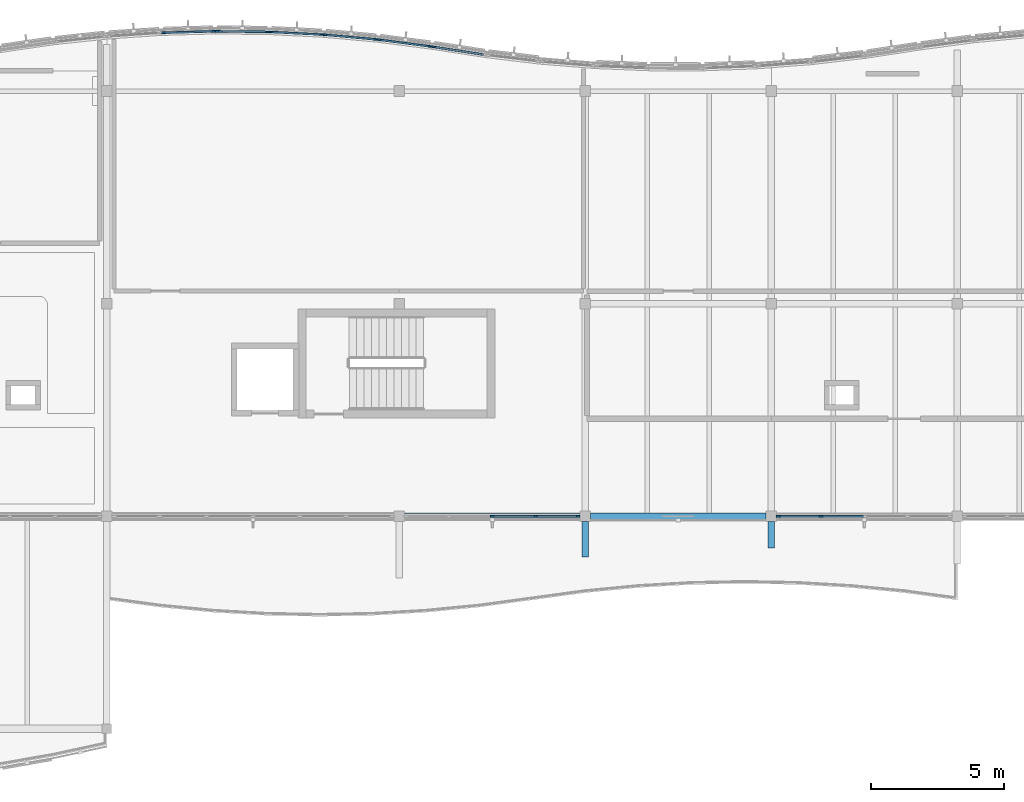
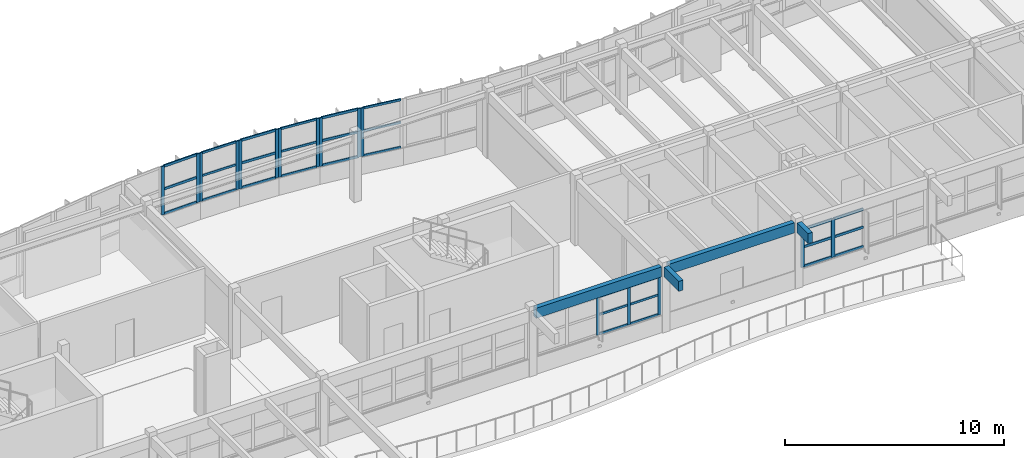
# One storey, part 23 of 63: 46 members, 4 beams, 8 elements without a shape of their own.
"""IFC4 building model written with IfcOpenShell, lengths in metres."""

from ifc_helpers import new_model, si_unit, direction, frame, origin, origin_2d, place, context, subcontext, project, spatial, rectangle, extrude, material, layer, layer_set, material_profile, profile_set, type_object, element, aggregate, save


model = new_model("IFC4")

# Units and contexts
model_context = context("Model", 3, precision=1e-05, world=origin(), true_north=direction((0.0, 1.0)))
body_context = subcontext(model_context, "Body", "Model", "MODEL_VIEW")
ifc_project = project(units=[si_unit("LENGTHUNIT", "METRE"), si_unit("AREAUNIT", "SQUARE_METRE"), si_unit("VOLUMEUNIT", "CUBIC_METRE"), si_unit("PLANEANGLEUNIT", "RADIAN"), si_unit("MASSUNIT", "GRAM", prefix="KILO")], contexts=[model_context])

# Site, building, storey
site_placement = place(None, origin())
site = spatial("IfcSite", under=ifc_project, at=site_placement, CompositionType="ELEMENT")
building_placement = place(site_placement, origin())
building = spatial("IfcBuilding", under=site, at=building_placement, Name="Tonlespit Floodbar School", CompositionType="ELEMENT")
storey_placement = place(building_placement, frame((0.0, 0.0, 8.39990234375)))
storey = spatial("IfcBuildingStorey", under=building, at=storey_placement, Name="L02", CompositionType="ELEMENT", Elevation=8.39990234375)

# Beams
ifc_material_1 = material(Name="Glulam GL28h", Category="wood")
ifc_material_profile_1 = material_profile(ifc_material_1, rectangle(XDim=0.239990234375, YDim=0.56005859375, at=origin_2d()), Name="GL 240x560")
ifc_profile_set_1 = profile_set([ifc_material_profile_1], Name="Glulam GL28h")
beam_type = type_object("IfcBeamType", Name="Beam_GL_240x560", PredefinedType="BEAM", material=ifc_profile_set_1)
for number, where, z_axis, x_axis, name in (
    (1, (127.199951171875, 104.0, 3.364990234375), (1.0, 0.0, 0.0), (0.0, 1.0, 0.0), "L02 girder 0968"),
    (2, (134.199951171875, 104.0, 3.364990234375), (1.0, 0.0, 0.0), (0.0, 1.0, 0.0), "L02 girder 0969"),
):
    element("IfcBeam", number, at=place(storey_placement, frame(where, z_axis=z_axis, x_axis=x_axis)), inside=storey, type_object=beam_type, Name=name, PredefinedType="BEAM", context=body_context, shape_type="SweptSolid", body=[
        extrude(rectangle(XDim=0.239990234375, YDim=0.56005859375, at=origin_2d()), origin(), (0.0, 0.0, 1.0), 6.60009765625),
    ])
beam_1_placement = place(storey_placement, frame((134.0, 103.800048828125, 3.3759765625), z_axis=(0.0, -1.0, 0.0), x_axis=(1.0, 0.0, 0.0)))
element("IfcBeam", 3, at=beam_1_placement, inside=storey, type_object=beam_type, Name="L02 V4 south court gallery rib", PredefinedType="BEAM", context=body_context, shape_type="SweptSolid", body=[
    extrude(rectangle(XDim=0.239990234375, YDim=0.56005859375, at=origin_2d()), origin(), (0.0, 0.0, 1.0), 1.328369140625),
])
beam_2_placement = place(storey_placement, frame((141.0, 103.800048828125, 3.3759765625), z_axis=(0.0, -1.0, 0.0), x_axis=(1.0, 0.0, 0.0)))
element("IfcBeam", 4, at=beam_2_placement, inside=storey, type_object=beam_type, Name="L02 V4 south court gallery rib", PredefinedType="BEAM", context=body_context, shape_type="SweptSolid", body=[
    extrude(rectangle(XDim=0.239990234375, YDim=0.56005859375, at=origin_2d()), origin(), (0.0, 0.0, 1.0), 0.990478515625),
])

# Curtain wall, members
ifc_material_2 = material(Name="Anodised Aluminium", Category="aluminium")
ifc_layer_1 = layer(ifc_material_2, 0.159912109375)
ifc_layer_set_1 = layer_set([ifc_layer_1], Name="Anodised Aluminium")
curtain_wall_type_1 = type_object("IfcCurtainWallType", Name="CurtainWall_1950x2700", PredefinedType="NOTDEFINED", material=ifc_layer_set_1)
curtain_wall_1_placement = place(storey_placement, origin())
curtain_wall_1 = element("IfcCurtainWall", 5, at=curtain_wall_1_placement, inside=storey, type_object=curtain_wall_type_1, Name="L02 unitised curtain wall 0416", PredefinedType="NOTDEFINED")
ifc_material_profile_2 = material_profile(ifc_material_2, rectangle(XDim=0.06494140625, YDim=0.14990234375, at=origin_2d()), Name="ALU M65x150")
ifc_profile_set_2 = profile_set([ifc_material_profile_2], Name="Anodised Aluminium")
member_type_1 = type_object("IfcMemberType", Name="CW_Mullion_65x150", PredefinedType="MULLION", material=ifc_profile_set_2)
member_1_placement = place(storey_placement, frame((120.1494140625, 122.246826171875, 0.9501953125), z_axis=(0.0, 0.0, 1.0), x_axis=(0.011436576488, 0.999934600221, 0.0)))
member_1 = element("IfcMember", 6, at=member_1_placement, type_object=member_type_1, Name="CW-04 mullion 1", PredefinedType="MULLION", context=body_context, shape_type="SweptSolid", body=[
    extrude(rectangle(XDim=0.06494140625, YDim=0.14990234375, at=origin_2d()), origin(), (0.0, 0.0, 1.0), 2.699951171875),
])
member_2_placement = place(storey_placement, frame((122.04296875, 122.22509765625, 0.9501953125), z_axis=(0.0, 0.0, 1.0), x_axis=(0.011436576488, 0.999934600221, 0.0)))
member_2 = element("IfcMember", 7, at=member_2_placement, type_object=member_type_1, Name="CW-04 mullion 2", PredefinedType="MULLION", context=body_context, shape_type="SweptSolid", body=[
    extrude(rectangle(XDim=0.06494140625, YDim=0.14990234375, at=origin_2d()), origin(), (0.0, 0.0, 1.0), 2.699951171875),
])

curtain_wall_2_placement = place(storey_placement, origin())
curtain_wall_2 = element("IfcCurtainWall", 8, at=curtain_wall_2_placement, inside=storey, type_object=curtain_wall_type_1, Name="L02 unitised curtain wall 0418", PredefinedType="NOTDEFINED")
member_3_placement = place(storey_placement, frame((124.22607421875, 122.1142578125, 0.9501953125), z_axis=(0.0, 0.0, 1.0), x_axis=(0.089889361722, 0.99595175719, 0.0)))
member_3 = element("IfcMember", 9, at=member_3_placement, type_object=member_type_1, Name="CW-04 mullion 1", PredefinedType="MULLION", context=body_context, shape_type="SweptSolid", body=[
    extrude(rectangle(XDim=0.06494140625, YDim=0.14990234375, at=origin_2d()), origin(), (0.0, 0.0, 1.0), 2.699951171875),
])
member_4_placement = place(storey_placement, frame((126.1201171875, 121.943359375, 0.9501953125), z_axis=(0.0, 0.0, 1.0), x_axis=(0.089889361722, 0.99595175719, 0.0)))
member_4 = element("IfcMember", 10, at=member_4_placement, type_object=member_type_1, Name="CW-04 mullion 2", PredefinedType="MULLION", context=body_context, shape_type="SweptSolid", body=[
    extrude(rectangle(XDim=0.06494140625, YDim=0.14990234375, at=origin_2d()), origin(), (0.0, 0.0, 1.0), 2.699951171875),
])

# Curtain wall, member
ifc_layer_2 = layer(ifc_material_2, 0.159912109375)
ifc_layer_set_2 = layer_set([ifc_layer_2], Name="Anodised Aluminium")
curtain_wall_type_2 = type_object("IfcCurtainWallType", Name="CurtainWall_2000x2700", PredefinedType="NOTDEFINED", material=ifc_layer_set_2)
curtain_wall_3_placement = place(storey_placement, origin())
curtain_wall_3 = element("IfcCurtainWall", 11, at=curtain_wall_3_placement, inside=storey, type_object=curtain_wall_type_2, Name="L02 unitised curtain wall 0420", PredefinedType="NOTDEFINED")
member_5_placement = place(storey_placement, frame((128.302490234375, 121.660400390625, 0.9501953125), z_axis=(0.0, 0.0, 1.0), x_axis=(0.153069003339, 0.988215502923, 0.0)))
member_5 = element("IfcMember", 12, at=member_5_placement, type_object=member_type_1, Name="CW-65 mullion 1", PredefinedType="MULLION", context=body_context, shape_type="SweptSolid", body=[
    extrude(rectangle(XDim=0.06494140625, YDim=0.14990234375, at=origin_2d()), origin(), (0.0, 0.0, 1.0), 2.699951171875),
])

# Curtain wall, members
ifc_layer_3 = layer(ifc_material_2, 0.159912109375)
ifc_layer_set_3 = layer_set([ifc_layer_3], Name="Anodised Aluminium")
curtain_wall_type_3 = type_object("IfcCurtainWallType", Name="CurtainWall_6500x2150", PredefinedType="NOTDEFINED", material=ifc_layer_set_3)
curtain_wall_4_placement = place(storey_placement, origin())
curtain_wall_4 = element("IfcCurtainWall", 13, at=curtain_wall_4_placement, inside=storey, type_object=curtain_wall_type_3, Name="L02 unitised curtain wall 0444", PredefinedType="NOTDEFINED")
member_6_placement = place(storey_placement, frame((133.7275390625, 104.0, 0.9501953125), z_axis=(0.0, 0.0, 1.0), x_axis=(0.0, -1.0, 0.0)))
member_6 = element("IfcMember", 14, at=member_6_placement, type_object=member_type_1, Name="CW-67 mullion 1", PredefinedType="MULLION", context=body_context, shape_type="SweptSolid", body=[
    extrude(rectangle(XDim=0.06494140625, YDim=0.14990234375, at=origin_2d()), origin(), (0.0, 0.0, 1.0), 2.135009765625),
])
member_7_placement = place(storey_placement, frame((132.1298828125, 104.0, 0.9501953125), z_axis=(0.0, 0.0, 1.0), x_axis=(0.0, -1.0, 0.0)))
member_7 = element("IfcMember", 15, at=member_7_placement, type_object=member_type_1, Name="CW-67 mullion 2", PredefinedType="MULLION", context=body_context, shape_type="SweptSolid", body=[
    extrude(rectangle(XDim=0.06494140625, YDim=0.14990234375, at=origin_2d()), origin(), (0.0, 0.0, 1.0), 2.135009765625),
])
member_8_placement = place(storey_placement, frame((130.5, 104.0, 0.9501953125), z_axis=(0.0, 0.0, 1.0), x_axis=(0.0, -1.0, 0.0)))
member_8 = element("IfcMember", 16, at=member_8_placement, type_object=member_type_1, Name="CW-67 mullion 3", PredefinedType="MULLION", context=body_context, shape_type="SweptSolid", body=[
    extrude(rectangle(XDim=0.06494140625, YDim=0.14990234375, at=origin_2d()), origin(), (0.0, 0.0, 1.0), 2.135009765625),
])

curtain_wall_5_placement = place(storey_placement, origin())
curtain_wall_5 = element("IfcCurtainWall", 17, at=curtain_wall_5_placement, inside=storey, type_object=curtain_wall_type_1, Name="L02 unitised curtain wall 0415", PredefinedType="NOTDEFINED")
ifc_material_profile_3 = material_profile(ifc_material_2, rectangle(XDim=0.06494140625, YDim=0.179931640625, at=origin_2d()), Name="ALU M65x180")
ifc_profile_set_3 = profile_set([ifc_material_profile_3], Name="Anodised Aluminium")
member_type_2 = type_object("IfcMemberType", Name="CW_Mullion_65x180", PredefinedType="MULLION", material=ifc_profile_set_3)
member_9_placement = place(storey_placement, frame((118.111083984375, 122.193115234375, 0.9501953125), z_axis=(0.0, 0.0, 1.0), x_axis=(-0.027767067237, 0.999614420653, 0.0)))
member_9 = element("IfcMember", 18, at=member_9_placement, type_object=member_type_2, Name="CW-04 mullion 1", PredefinedType="MULLION", context=body_context, shape_type="SweptSolid", body=[
    extrude(rectangle(XDim=0.06494140625, YDim=0.179931640625, at=origin_2d()), origin(), (0.0, 0.0, 1.0), 2.699951171875),
])
member_10_placement = place(storey_placement, frame((120.00439453125, 122.24560546875, 0.9501953125), z_axis=(0.0, 0.0, 1.0), x_axis=(-0.027767067237, 0.999614420653, 0.0)))
member_10 = element("IfcMember", 19, at=member_10_placement, type_object=member_type_2, Name="CW-04 mullion 2", PredefinedType="MULLION", context=body_context, shape_type="SweptSolid", body=[
    extrude(rectangle(XDim=0.06494140625, YDim=0.179931640625, at=origin_2d()), origin(), (0.0, 0.0, 1.0), 2.699951171875),
])

curtain_wall_6_placement = place(storey_placement, origin())
curtain_wall_6 = element("IfcCurtainWall", 20, at=curtain_wall_6_placement, inside=storey, type_object=curtain_wall_type_1, Name="L02 unitised curtain wall 0417", PredefinedType="NOTDEFINED")
member_11_placement = place(storey_placement, frame((122.187744140625, 122.220703125, 0.9501953125), z_axis=(0.0, 0.0, 1.0), x_axis=(0.05068530511, 0.998714673891, 0.0)))
member_11 = element("IfcMember", 21, at=member_11_placement, type_object=member_type_2, Name="CW-04 mullion 1", PredefinedType="MULLION", context=body_context, shape_type="SweptSolid", body=[
    extrude(rectangle(XDim=0.06494140625, YDim=0.179931640625, at=origin_2d()), origin(), (0.0, 0.0, 1.0), 2.699951171875),
])
member_12_placement = place(storey_placement, frame((124.08154296875, 122.12451171875, 0.9501953125), z_axis=(0.0, 0.0, 1.0), x_axis=(0.05068530511, 0.998714673891, 0.0)))
member_12 = element("IfcMember", 22, at=member_12_placement, type_object=member_type_2, Name="CW-04 mullion 2", PredefinedType="MULLION", context=body_context, shape_type="SweptSolid", body=[
    extrude(rectangle(XDim=0.06494140625, YDim=0.179931640625, at=origin_2d()), origin(), (0.0, 0.0, 1.0), 2.699951171875),
])

curtain_wall_7_placement = place(storey_placement, origin())
curtain_wall_7 = element("IfcCurtainWall", 23, at=curtain_wall_7_placement, inside=storey, type_object=curtain_wall_type_2, Name="L02 unitised curtain wall 0419", PredefinedType="NOTDEFINED")
member_13_placement = place(storey_placement, frame((126.26416015625, 121.927490234375, 0.9501953125), z_axis=(0.0, 0.0, 1.0), x_axis=(0.129073017473, 0.991635092239, 0.0)))
member_13 = element("IfcMember", 24, at=member_13_placement, type_object=member_type_2, Name="CW-65 mullion 1", PredefinedType="MULLION", context=body_context, shape_type="SweptSolid", body=[
    extrude(rectangle(XDim=0.06494140625, YDim=0.179931640625, at=origin_2d()), origin(), (0.0, 0.0, 1.0), 2.699951171875),
])
member_14_placement = place(storey_placement, frame((128.158935546875, 121.680908203125, 0.9501953125), z_axis=(0.0, 0.0, 1.0), x_axis=(0.129073017473, 0.991635092239, 0.0)))
member_14 = element("IfcMember", 25, at=member_14_placement, type_object=member_type_2, Name="CW-65 mullion 2", PredefinedType="MULLION", context=body_context, shape_type="SweptSolid", body=[
    extrude(rectangle(XDim=0.06494140625, YDim=0.179931640625, at=origin_2d()), origin(), (0.0, 0.0, 1.0), 2.699951171875),
])

curtain_wall_8_placement = place(storey_placement, origin())
curtain_wall_8 = element("IfcCurtainWall", 26, at=curtain_wall_8_placement, inside=storey, type_object=curtain_wall_type_3, Name="L02 unitised curtain wall 0443", PredefinedType="NOTDEFINED")
member_15_placement = place(storey_placement, frame((142.8701171875, 104.0, 0.9501953125), z_axis=(0.0, 0.0, 1.0), x_axis=(0.0, -1.0, 0.0)))
member_15 = element("IfcMember", 27, at=member_15_placement, type_object=member_type_2, Name="CW-67 mullion 4", PredefinedType="MULLION", context=body_context, shape_type="SweptSolid", body=[
    extrude(rectangle(XDim=0.06494140625, YDim=0.179931640625, at=origin_2d()), origin(), (0.0, 0.0, 1.0), 2.135009765625),
])
member_16_placement = place(storey_placement, frame((141.2724609375, 104.0, 0.9501953125), z_axis=(0.0, 0.0, 1.0), x_axis=(0.0, -1.0, 0.0)))
member_16 = element("IfcMember", 28, at=member_16_placement, type_object=member_type_2, Name="CW-67 mullion 5", PredefinedType="MULLION", context=body_context, shape_type="SweptSolid", body=[
    extrude(rectangle(XDim=0.06494140625, YDim=0.179931640625, at=origin_2d()), origin(), (0.0, 0.0, 1.0), 2.135009765625),
])

# Member
ifc_material_profile_4 = material_profile(ifc_material_2, rectangle(XDim=0.06494140625, YDim=0.1201171875, at=origin_2d()), Name="ALU T65x120")
ifc_profile_set_4 = profile_set([ifc_material_profile_4], Name="Anodised Aluminium")
member_type_3 = type_object("IfcMemberType", Name="CW_Transom_65x120", PredefinedType="USERDEFINED", material=ifc_profile_set_4)
member_17_placement = place(storey_placement, frame((120.181884765625, 122.246337890625, 0.982666015625), z_axis=(0.999935612395, -0.011347733919, 0.0), x_axis=(0.011347733919, 0.999935612395, 0.0)))
member_17 = element("IfcMember", 29, at=member_17_placement, type_object=member_type_3, Name="CW-04 transom 1.1", ObjectType="TRANSOM", PredefinedType="USERDEFINED", context=body_context, shape_type="SweptSolid", body=[
    extrude(rectangle(XDim=0.06494140625, YDim=0.1201171875, at=origin_2d()), origin(), (0.0, 0.0, 1.0), 1.82861328125),
])

member_18_placement = place(storey_placement, frame((120.181884765625, 122.246337890625, 2.35400390625), z_axis=(0.999935612395, -0.011347733919, 0.0), x_axis=(0.011347733919, 0.999935612395, 0.0)))
member_18 = element("IfcMember", 30, at=member_18_placement, type_object=member_type_3, Name="CW-04 transom 1.2", ObjectType="TRANSOM", PredefinedType="USERDEFINED", context=body_context, shape_type="SweptSolid", body=[
    extrude(rectangle(XDim=0.06494140625, YDim=0.1201171875, at=origin_2d()), origin(), (0.0, 0.0, 1.0), 1.82861328125),
])

member_19_placement = place(storey_placement, frame((120.181884765625, 122.246337890625, 3.61767578125), z_axis=(0.999935612395, -0.011347733919, 0.0), x_axis=(0.011347733919, 0.999935612395, 0.0)))
member_19 = element("IfcMember", 31, at=member_19_placement, type_object=member_type_3, Name="CW-04 transom 1.3", ObjectType="TRANSOM", PredefinedType="USERDEFINED", context=body_context, shape_type="SweptSolid", body=[
    extrude(rectangle(XDim=0.06494140625, YDim=0.1201171875, at=origin_2d()), origin(), (0.0, 0.0, 1.0), 1.82861328125),
])

aggregate(curtain_wall_1, [member_1, member_2, member_17, member_18, member_19])

member_20_placement = place(storey_placement, frame((124.25830078125, 122.111572265625, 0.982666015625), z_axis=(0.995943169937, -0.089984455632, 0.0), x_axis=(0.089984455632, 0.995943169937, 0.0)))
member_20 = element("IfcMember", 32, at=member_20_placement, type_object=member_type_3, Name="CW-04 transom 1.1", ObjectType="TRANSOM", PredefinedType="USERDEFINED", context=body_context, shape_type="SweptSolid", body=[
    extrude(rectangle(XDim=0.06494140625, YDim=0.1201171875, at=origin_2d()), origin(), (0.0, 0.0, 1.0), 1.8369140625),
])

member_21_placement = place(storey_placement, frame((124.25830078125, 122.111572265625, 2.35400390625), z_axis=(0.995943169937, -0.089984455632, 0.0), x_axis=(0.089984455632, 0.995943169937, 0.0)))
member_21 = element("IfcMember", 33, at=member_21_placement, type_object=member_type_3, Name="CW-04 transom 1.2", ObjectType="TRANSOM", PredefinedType="USERDEFINED", context=body_context, shape_type="SweptSolid", body=[
    extrude(rectangle(XDim=0.06494140625, YDim=0.1201171875, at=origin_2d()), origin(), (0.0, 0.0, 1.0), 1.8369140625),
])

member_22_placement = place(storey_placement, frame((124.25830078125, 122.111572265625, 3.61767578125), z_axis=(0.995943169937, -0.089984455632, 0.0), x_axis=(0.089984455632, 0.995943169937, 0.0)))
member_22 = element("IfcMember", 34, at=member_22_placement, type_object=member_type_3, Name="CW-04 transom 1.3", ObjectType="TRANSOM", PredefinedType="USERDEFINED", context=body_context, shape_type="SweptSolid", body=[
    extrude(rectangle(XDim=0.06494140625, YDim=0.1201171875, at=origin_2d()), origin(), (0.0, 0.0, 1.0), 1.8369140625),
])

aggregate(curtain_wall_2, [member_3, member_4, member_20, member_21, member_22])

member_23_placement = place(storey_placement, frame((128.33447265625, 121.655517578125, 0.982666015625), z_axis=(0.988209675722, -0.153106619092, 0.0), x_axis=(0.153106619092, 0.988209675722, 0.0)))
member_23 = element("IfcMember", 35, at=member_23_placement, type_object=member_type_3, Name="CW-65 transom 1.1", ObjectType="TRANSOM", PredefinedType="USERDEFINED", context=body_context, shape_type="SweptSolid", body=[
    extrude(rectangle(XDim=0.06494140625, YDim=0.1201171875, at=origin_2d()), origin(), (0.0, 0.0, 1.0), 1.852783203125),
])

member_24_placement = place(storey_placement, frame((128.33447265625, 121.655517578125, 2.35400390625), z_axis=(0.988209675722, -0.153106619092, 0.0), x_axis=(0.153106619092, 0.988209675722, 0.0)))
member_24 = element("IfcMember", 36, at=member_24_placement, type_object=member_type_3, Name="CW-65 transom 1.2", ObjectType="TRANSOM", PredefinedType="USERDEFINED", context=body_context, shape_type="SweptSolid", body=[
    extrude(rectangle(XDim=0.06494140625, YDim=0.1201171875, at=origin_2d()), origin(), (0.0, 0.0, 1.0), 1.852783203125),
])

member_25_placement = place(storey_placement, frame((128.33447265625, 121.655517578125, 3.61767578125), z_axis=(0.988209675722, -0.153106619092, 0.0), x_axis=(0.153106619092, 0.988209675722, 0.0)))
member_25 = element("IfcMember", 37, at=member_25_placement, type_object=member_type_3, Name="CW-65 transom 1.3", ObjectType="TRANSOM", PredefinedType="USERDEFINED", context=body_context, shape_type="SweptSolid", body=[
    extrude(rectangle(XDim=0.06494140625, YDim=0.1201171875, at=origin_2d()), origin(), (0.0, 0.0, 1.0), 1.852783203125),
])

aggregate(curtain_wall_3, [member_5, member_23, member_24, member_25])

member_26_placement = place(storey_placement, frame((133.695068359375, 104.0, 0.982666015625), z_axis=(-1.0, 0.0, 0.0), x_axis=(0.0, -1.0, 0.0)))
member_26 = element("IfcMember", 38, at=member_26_placement, type_object=member_type_3, Name="CW-67 transom 1.1", ObjectType="TRANSOM", PredefinedType="USERDEFINED", context=body_context, shape_type="SweptSolid", body=[
    extrude(rectangle(XDim=0.06494140625, YDim=0.1201171875, at=origin_2d()), origin(), (0.0, 0.0, 1.0), 1.532470703125),
])

member_27_placement = place(storey_placement, frame((133.695068359375, 104.0, 2.060302734375), z_axis=(-1.0, 0.0, 0.0), x_axis=(0.0, -1.0, 0.0)))
member_27 = element("IfcMember", 39, at=member_27_placement, type_object=member_type_3, Name="CW-67 transom 1.2", ObjectType="TRANSOM", PredefinedType="USERDEFINED", context=body_context, shape_type="SweptSolid", body=[
    extrude(rectangle(XDim=0.06494140625, YDim=0.1201171875, at=origin_2d()), origin(), (0.0, 0.0, 1.0), 1.532470703125),
])

member_28_placement = place(storey_placement, frame((133.695068359375, 104.0, 3.052490234375), z_axis=(-1.0, 0.0, 0.0), x_axis=(0.0, -1.0, 0.0)))
member_28 = element("IfcMember", 40, at=member_28_placement, type_object=member_type_3, Name="CW-67 transom 1.3", ObjectType="TRANSOM", PredefinedType="USERDEFINED", context=body_context, shape_type="SweptSolid", body=[
    extrude(rectangle(XDim=0.06494140625, YDim=0.1201171875, at=origin_2d()), origin(), (0.0, 0.0, 1.0), 1.532470703125),
])

member_29_placement = place(storey_placement, frame((132.097412109375, 104.0, 0.982666015625), z_axis=(-1.0, 0.0, 0.0), x_axis=(0.0, -1.0, 0.0)))
member_29 = element("IfcMember", 41, at=member_29_placement, type_object=member_type_3, Name="CW-67 transom 2.1", ObjectType="TRANSOM", PredefinedType="USERDEFINED", context=body_context, shape_type="SweptSolid", body=[
    extrude(rectangle(XDim=0.06494140625, YDim=0.1201171875, at=origin_2d()), origin(), (0.0, 0.0, 1.0), 1.56494140625),
])

member_30_placement = place(storey_placement, frame((132.097412109375, 104.0, 2.060302734375), z_axis=(-1.0, 0.0, 0.0), x_axis=(0.0, -1.0, 0.0)))
member_30 = element("IfcMember", 42, at=member_30_placement, type_object=member_type_3, Name="CW-67 transom 2.2", ObjectType="TRANSOM", PredefinedType="USERDEFINED", context=body_context, shape_type="SweptSolid", body=[
    extrude(rectangle(XDim=0.06494140625, YDim=0.1201171875, at=origin_2d()), origin(), (0.0, 0.0, 1.0), 1.56494140625),
])

member_31_placement = place(storey_placement, frame((132.097412109375, 104.0, 3.052490234375), z_axis=(-1.0, 0.0, 0.0), x_axis=(0.0, -1.0, 0.0)))
member_31 = element("IfcMember", 43, at=member_31_placement, type_object=member_type_3, Name="CW-67 transom 2.3", ObjectType="TRANSOM", PredefinedType="USERDEFINED", context=body_context, shape_type="SweptSolid", body=[
    extrude(rectangle(XDim=0.06494140625, YDim=0.1201171875, at=origin_2d()), origin(), (0.0, 0.0, 1.0), 1.56494140625),
])

aggregate(curtain_wall_4, [member_6, member_7, member_8, member_26, member_27, member_28, member_29, member_30, member_31])

ifc_material_profile_5 = material_profile(ifc_material_2, rectangle(XDim=0.06494140625, YDim=0.139892578125, at=origin_2d()), Name="ALU T65x140")
ifc_profile_set_5 = profile_set([ifc_material_profile_5], Name="Anodised Aluminium")
member_type_4 = type_object("IfcMemberType", Name="CW_Transom_65x140", PredefinedType="USERDEFINED", material=ifc_profile_set_5)
member_32_placement = place(storey_placement, frame((118.1435546875, 122.194091796875, 0.982666015625), z_axis=(0.999614523559, 0.027763362385, 0.0), x_axis=(-0.027763362385, 0.999614523559, 0.0)))
member_32 = element("IfcMember", 44, at=member_32_placement, type_object=member_type_4, Name="CW-04 transom 1.1", ObjectType="TRANSOM", PredefinedType="USERDEFINED", context=body_context, shape_type="SweptSolid", body=[
    extrude(rectangle(XDim=0.06494140625, YDim=0.139892578125, at=origin_2d()), origin(), (0.0, 0.0, 1.0), 1.8291015625),
])

member_33_placement = place(storey_placement, frame((118.1435546875, 122.194091796875, 2.35400390625), z_axis=(0.999614523559, 0.027763362385, 0.0), x_axis=(-0.027763362385, 0.999614523559, 0.0)))
member_33 = element("IfcMember", 45, at=member_33_placement, type_object=member_type_4, Name="CW-04 transom 1.2", ObjectType="TRANSOM", PredefinedType="USERDEFINED", context=body_context, shape_type="SweptSolid", body=[
    extrude(rectangle(XDim=0.06494140625, YDim=0.139892578125, at=origin_2d()), origin(), (0.0, 0.0, 1.0), 1.8291015625),
])

member_34_placement = place(storey_placement, frame((118.1435546875, 122.194091796875, 3.61767578125), z_axis=(0.999614523559, 0.027763362385, 0.0), x_axis=(-0.027763362385, 0.999614523559, 0.0)))
member_34 = element("IfcMember", 46, at=member_34_placement, type_object=member_type_4, Name="CW-04 transom 1.3", ObjectType="TRANSOM", PredefinedType="USERDEFINED", context=body_context, shape_type="SweptSolid", body=[
    extrude(rectangle(XDim=0.06494140625, YDim=0.139892578125, at=origin_2d()), origin(), (0.0, 0.0, 1.0), 1.8291015625),
])

aggregate(curtain_wall_5, [member_9, member_10, member_32, member_33, member_34])

member_35_placement = place(storey_placement, frame((122.22021484375, 122.218994140625, 0.982666015625), z_axis=(0.998715836214, -0.050662397245, 0.0), x_axis=(0.050662397245, 0.998715836214, 0.0)))
member_35 = element("IfcMember", 47, at=member_35_placement, type_object=member_type_4, Name="CW-04 transom 1.1", ObjectType="TRANSOM", PredefinedType="USERDEFINED", context=body_context, shape_type="SweptSolid", body=[
    extrude(rectangle(XDim=0.06494140625, YDim=0.139892578125, at=origin_2d()), origin(), (0.0, 0.0, 1.0), 1.831298828125),
])

member_36_placement = place(storey_placement, frame((122.22021484375, 122.218994140625, 2.35400390625), z_axis=(0.998715836214, -0.050662397245, 0.0), x_axis=(0.050662397245, 0.998715836214, 0.0)))
member_36 = element("IfcMember", 48, at=member_36_placement, type_object=member_type_4, Name="CW-04 transom 1.2", ObjectType="TRANSOM", PredefinedType="USERDEFINED", context=body_context, shape_type="SweptSolid", body=[
    extrude(rectangle(XDim=0.06494140625, YDim=0.139892578125, at=origin_2d()), origin(), (0.0, 0.0, 1.0), 1.831298828125),
])

member_37_placement = place(storey_placement, frame((122.22021484375, 122.218994140625, 3.61767578125), z_axis=(0.998715836214, -0.050662397245, 0.0), x_axis=(0.050662397245, 0.998715836214, 0.0)))
member_37 = element("IfcMember", 49, at=member_37_placement, type_object=member_type_4, Name="CW-04 transom 1.3", ObjectType="TRANSOM", PredefinedType="USERDEFINED", context=body_context, shape_type="SweptSolid", body=[
    extrude(rectangle(XDim=0.06494140625, YDim=0.139892578125, at=origin_2d()), origin(), (0.0, 0.0, 1.0), 1.831298828125),
])

aggregate(curtain_wall_6, [member_11, member_12, member_35, member_36, member_37])

member_38_placement = place(storey_placement, frame((126.29638671875, 121.92333984375, 0.982666015625), z_axis=(0.991632096797, -0.129096028608, 0.0), x_axis=(0.129096028608, 0.991632096797, 0.0)))
member_38 = element("IfcMember", 50, at=member_38_placement, type_object=member_type_4, Name="CW-65 transom 1.1", ObjectType="TRANSOM", PredefinedType="USERDEFINED", context=body_context, shape_type="SweptSolid", body=[
    extrude(rectangle(XDim=0.06494140625, YDim=0.139892578125, at=origin_2d()), origin(), (0.0, 0.0, 1.0), 1.845703125),
])

member_39_placement = place(storey_placement, frame((126.29638671875, 121.92333984375, 2.35400390625), z_axis=(0.991632096797, -0.129096028608, 0.0), x_axis=(0.129096028608, 0.991632096797, 0.0)))
member_39 = element("IfcMember", 51, at=member_39_placement, type_object=member_type_4, Name="CW-65 transom 1.2", ObjectType="TRANSOM", PredefinedType="USERDEFINED", context=body_context, shape_type="SweptSolid", body=[
    extrude(rectangle(XDim=0.06494140625, YDim=0.139892578125, at=origin_2d()), origin(), (0.0, 0.0, 1.0), 1.845703125),
])

member_40_placement = place(storey_placement, frame((126.29638671875, 121.92333984375, 3.61767578125), z_axis=(0.991632096797, -0.129096028608, 0.0), x_axis=(0.129096028608, 0.991632096797, 0.0)))
member_40 = element("IfcMember", 52, at=member_40_placement, type_object=member_type_4, Name="CW-65 transom 1.3", ObjectType="TRANSOM", PredefinedType="USERDEFINED", context=body_context, shape_type="SweptSolid", body=[
    extrude(rectangle(XDim=0.06494140625, YDim=0.139892578125, at=origin_2d()), origin(), (0.0, 0.0, 1.0), 1.845703125),
])

aggregate(curtain_wall_7, [member_13, member_14, member_38, member_39, member_40])

member_41_placement = place(storey_placement, frame((144.467529296875, 104.0, 0.982666015625), z_axis=(-1.0, 0.0, 0.0), x_axis=(0.0, -1.0, 0.0)))
member_41 = element("IfcMember", 53, at=member_41_placement, type_object=member_type_4, Name="CW-67 transom 3.1", ObjectType="TRANSOM", PredefinedType="USERDEFINED", context=body_context, shape_type="SweptSolid", body=[
    extrude(rectangle(XDim=0.06494140625, YDim=0.139892578125, at=origin_2d()), origin(), (0.0, 0.0, 1.0), 1.56494140625),
])

member_42_placement = place(storey_placement, frame((144.467529296875, 104.0, 2.060302734375), z_axis=(-1.0, 0.0, 0.0), x_axis=(0.0, -1.0, 0.0)))
member_42 = element("IfcMember", 54, at=member_42_placement, type_object=member_type_4, Name="CW-67 transom 3.2", ObjectType="TRANSOM", PredefinedType="USERDEFINED", context=body_context, shape_type="SweptSolid", body=[
    extrude(rectangle(XDim=0.06494140625, YDim=0.139892578125, at=origin_2d()), origin(), (0.0, 0.0, 1.0), 1.56494140625),
])

member_43_placement = place(storey_placement, frame((144.467529296875, 104.0, 3.052490234375), z_axis=(-1.0, 0.0, 0.0), x_axis=(0.0, -1.0, 0.0)))
member_43 = element("IfcMember", 55, at=member_43_placement, type_object=member_type_4, Name="CW-67 transom 3.3", ObjectType="TRANSOM", PredefinedType="USERDEFINED", context=body_context, shape_type="SweptSolid", body=[
    extrude(rectangle(XDim=0.06494140625, YDim=0.139892578125, at=origin_2d()), origin(), (0.0, 0.0, 1.0), 1.56494140625),
])

member_44_placement = place(storey_placement, frame((142.83740234375, 104.0, 0.982666015625), z_axis=(-1.0, 0.0, 0.0), x_axis=(0.0, -1.0, 0.0)))
member_44 = element("IfcMember", 56, at=member_44_placement, type_object=member_type_4, Name="CW-67 transom 4.1", ObjectType="TRANSOM", PredefinedType="USERDEFINED", context=body_context, shape_type="SweptSolid", body=[
    extrude(rectangle(XDim=0.06494140625, YDim=0.139892578125, at=origin_2d()), origin(), (0.0, 0.0, 1.0), 1.532470703125),
])

member_45_placement = place(storey_placement, frame((142.83740234375, 104.0, 2.060302734375), z_axis=(-1.0, 0.0, 0.0), x_axis=(0.0, -1.0, 0.0)))
member_45 = element("IfcMember", 57, at=member_45_placement, type_object=member_type_4, Name="CW-67 transom 4.2", ObjectType="TRANSOM", PredefinedType="USERDEFINED", context=body_context, shape_type="SweptSolid", body=[
    extrude(rectangle(XDim=0.06494140625, YDim=0.139892578125, at=origin_2d()), origin(), (0.0, 0.0, 1.0), 1.532470703125),
])

member_46_placement = place(storey_placement, frame((142.83740234375, 104.0, 3.052490234375), z_axis=(-1.0, 0.0, 0.0), x_axis=(0.0, -1.0, 0.0)))
member_46 = element("IfcMember", 58, at=member_46_placement, type_object=member_type_4, Name="CW-67 transom 4.3", ObjectType="TRANSOM", PredefinedType="USERDEFINED", context=body_context, shape_type="SweptSolid", body=[
    extrude(rectangle(XDim=0.06494140625, YDim=0.139892578125, at=origin_2d()), origin(), (0.0, 0.0, 1.0), 1.532470703125),
])

aggregate(curtain_wall_8, [member_15, member_16, member_41, member_42, member_43, member_44, member_45, member_46])

save(model, "model.ifc")
